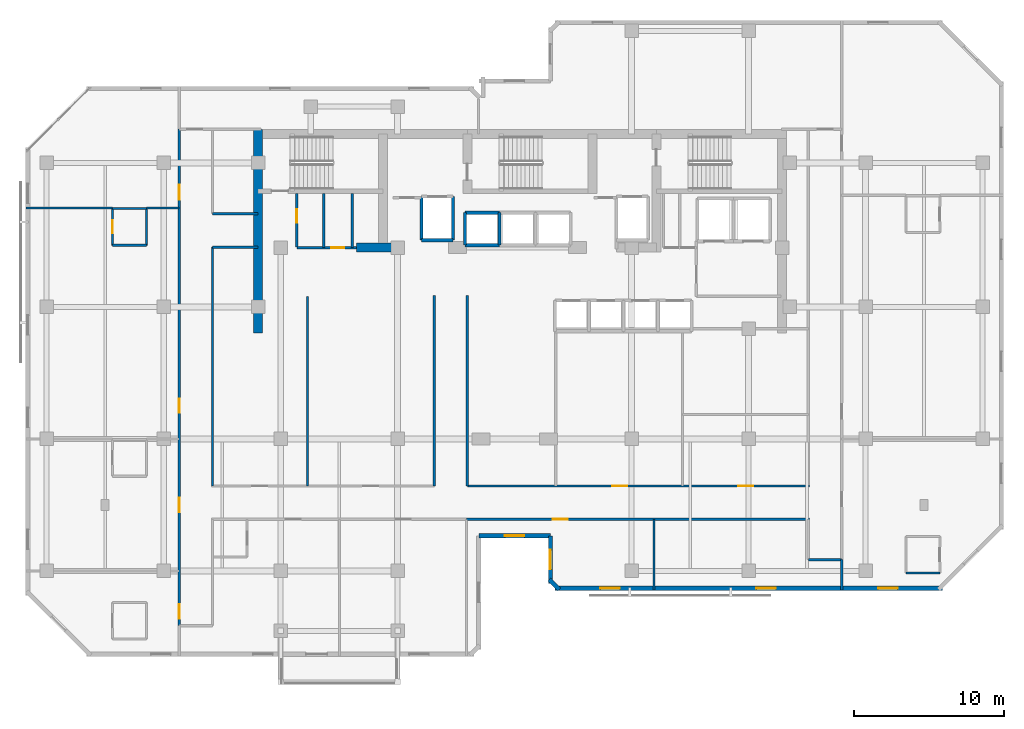
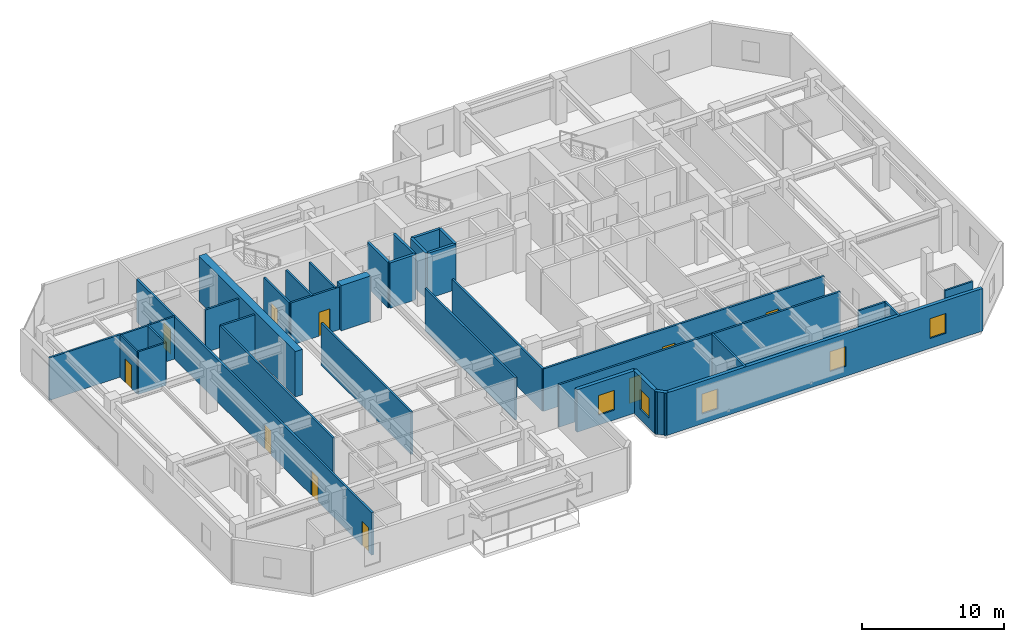
# One storey, part 5 of 11: 36 walls, 10 doors, 5 windows, 15 openings.
"""IFC4 building model written with IfcOpenShell, lengths in metres."""

import ifcopenshell
import ifcopenshell.guid

model = None  # the IFC model being written
_history = None  # IfcOwnerHistory: only IFC2X3 demands one
_inside = {}  # id of a spatial element -> (the spatial element, [elements in it])
_under = {}  # id of a project, library or spatial element -> (it, [spatial elements below it])
_declared = {}  # id of a project -> (the project, [libraries it declares])
_typed = {}  # id of a type object -> (the type object, [elements of that type])
_made_of = {}  # id of a material, layer set ... -> (it, [elements and type objects made of it])


def new_model(schema):
    """Start an empty IFC model of exactly this schema.

    Asked for "IFC4X3", IfcOpenShell would pick the latest addendum, in which some entities
    have other attributes; the version numbers below select the first issue.
    IFC2X3 requires an IfcOwnerHistory on every rooted entity: one is made here for all.
    """
    global model, _history
    if schema == "IFC4X3":
        model = ifcopenshell.file(schema_version=(4, 3, 0, 0))
    else:
        model = ifcopenshell.file(schema=schema)
    _inside.clear()
    _under.clear()
    _declared.clear()
    _typed.clear()
    _made_of.clear()
    _history = None
    if model.schema == "IFC2X3":
        org = make("IfcOrganization", Name="unknown")
        user = make(
            "IfcPersonAndOrganization",
            ThePerson=make("IfcPerson", FamilyName="unknown"),
            TheOrganization=org,
        )
        app = make(
            "IfcApplication",
            ApplicationDeveloper=org,
            Version="unknown",
            ApplicationFullName="unknown",
            ApplicationIdentifier="unknown",
        )
        _history = make(
            "IfcOwnerHistory",
            OwningUser=user,
            OwningApplication=app,
            ChangeAction="ADDED",
            CreationDate=0,
        )
    return model


def make(cls, **values):
    """One entity of the class cls with the attributes given. An attribute that is None is left unset."""
    return model.create_entity(
        cls, **{name: value for name, value in values.items() if value is not None}
    )


def rooted(cls, **values):
    """An entity with a GlobalId (a new one), such as an element, a storey or a relation."""
    return make(cls, GlobalId=ifcopenshell.guid.new(), OwnerHistory=_history, **values)


def si_unit(unit_type, name, prefix=None):
    """IfcSIUnit, for example si_unit("LENGTHUNIT", "METRE", prefix="MILLI")."""
    return make("IfcSIUnit", UnitType=unit_type, Prefix=prefix, Name=name)


def assignment(units):
    """IfcUnitAssignment: the units of a project."""
    return None if units is None else make("IfcUnitAssignment", Units=units)


def point(xyz):
    """IfcCartesianPoint."""
    return None if xyz is None else make("IfcCartesianPoint", Coordinates=xyz)


def direction(xyz):
    """IfcDirection."""
    return None if xyz is None else make("IfcDirection", DirectionRatios=xyz)


def frame(location, z_axis=None, x_axis=None):
    """IfcAxis2Placement3D, a coordinate frame: its origin and axes. An axis left out is left unset."""
    return make(
        "IfcAxis2Placement3D",
        Location=point(location),
        Axis=direction(z_axis),
        RefDirection=direction(x_axis),
    )


def frame_2d(location, x_axis=None):
    """IfcAxis2Placement2D, a coordinate frame in the plane: its origin and x axis."""
    return make(
        "IfcAxis2Placement2D", Location=point(location), RefDirection=direction(x_axis)
    )


def origin():
    """The frame at (0, 0, 0) with its axes left unset."""
    return frame((0.0, 0.0, 0.0))


def place(relative_to, where):
    """IfcLocalPlacement: puts the frame where relative to a parent placement (None: the world)."""
    return make(
        "IfcLocalPlacement", PlacementRelTo=relative_to, RelativePlacement=where
    )


def context(
    kind, dimensions, precision=None, world=None, true_north=None, identifier=None
):
    """IfcGeometricRepresentationContext, for example the 3D "Model" context."""
    return make(
        "IfcGeometricRepresentationContext",
        ContextIdentifier=identifier,
        ContextType=kind,
        CoordinateSpaceDimension=dimensions,
        Precision=precision,
        WorldCoordinateSystem=world,
        TrueNorth=true_north,
    )


def subcontext(parent, identifier, kind, view, scale=None):
    """IfcGeometricRepresentationSubContext, for example "Body" below "Model"."""
    return make(
        "IfcGeometricRepresentationSubContext",
        ContextIdentifier=identifier,
        ContextType=kind,
        ParentContext=parent,
        TargetScale=scale,
        TargetView=view,
    )


def project(units=None, contexts=None):
    """IfcProject with its units and contexts."""
    return rooted(
        "IfcProject",
        Name="project",
        RepresentationContexts=contexts,
        UnitsInContext=assignment(units),
    )


def spatial(cls, under=None, at=None, **own):
    """A site, building, storey or space (cls), placed at a placement, below another one or the project."""
    s = rooted(cls, ObjectPlacement=at, **own)
    if under is not None:
        _under.setdefault(under.id(), (under, []))[1].append(s)
    return s


def profile(cls, at=None, kind="AREA", **sizes):
    """A parametric profile (cls). Its sizes go by their IFC names, for example OverallWidth=200.0."""
    return make(cls, ProfileType=kind, Position=at, **sizes)


def rectangle(**sizes):
    """IfcRectangleProfileDef."""
    return profile("IfcRectangleProfileDef", **sizes)


def extrude(swept, where, along, depth):
    """IfcExtrudedAreaSolid: the profile swept, set in the frame where, extruded along a direction by depth."""
    return make(
        "IfcExtrudedAreaSolid",
        SweptArea=swept,
        Position=where,
        ExtrudedDirection=direction(along),
        Depth=depth,
    )


def shape(context_of_items, identifier, shape_type, items):
    """IfcShapeRepresentation: the items that make up one representation, for example the "Body"."""
    return make(
        "IfcShapeRepresentation",
        ContextOfItems=context_of_items,
        RepresentationIdentifier=identifier,
        RepresentationType=shape_type,
        Items=items,
    )


def material(Name=None, Category=None):
    """IfcMaterial."""
    return make("IfcMaterial", Name=Name, Category=Category)


def layer(
    of_material, thickness, ventilated=None, Name=None, Category=None, Priority=None
):
    """IfcMaterialLayer: one layer of a wall or slab, of a material (None: an air gap)."""
    return make(
        "IfcMaterialLayer",
        Material=of_material,
        LayerThickness=thickness,
        IsVentilated=ventilated,
        Name=Name,
        Category=Category,
        Priority=Priority,
    )


def layer_set(layers, Name=None):
    """IfcMaterialLayerSet."""
    return make("IfcMaterialLayerSet", MaterialLayers=layers, LayerSetName=Name)


def made_of(thing, what):
    """Note that an element or type object is made of a material, layer set ...; save() writes the relation."""
    if what is not None:
        _made_of.setdefault(what.id(), (what, []))[1].append(thing)
    return thing


def type_object(cls, material=None, **own):
    """A type object (cls), such as IfcWallType, which elements share."""
    return made_of(rooted(cls, **own), material)


def element(
    cls,
    number,
    at=None,
    inside=None,
    cuts=None,
    type_object=None,
    material=None,
    context=None,
    identifier="Body",
    shape_type=None,
    held_by="IfcProductDefinitionShape",
    body=None,
    shapes=None,
    **own,
):
    """One element of the class cls, such as IfcWall. Its Tag is "e" and its number.

    at: its placement. inside: the storey or other place that contains it. cuts: it is an
    opening in that element (IfcRelVoidsElement). A single representation is given by context,
    identifier, shape_type and body (its items); several are given by shapes. held_by: the class
    of the entity that holds the representations. save() writes the other relations.
    """
    e = rooted(cls, Tag="e%d" % number, ObjectPlacement=at, **own)
    if body is not None:
        shapes = [shape(context, identifier, shape_type, body)]
    if shapes is not None:
        e.Representation = make(held_by, Representations=shapes)
    if inside is not None:
        _inside.setdefault(inside.id(), (inside, []))[1].append(e)
    if cuts is not None:
        rooted(
            "IfcRelVoidsElement", RelatingBuildingElement=cuts, RelatedOpeningElement=e
        )
    if type_object is not None:
        _typed.setdefault(type_object.id(), (type_object, []))[1].append(e)
    return made_of(e, material)


def fill(opening, filler):
    """IfcRelFillsElement: the door or window that sits in an opening."""
    return rooted(
        "IfcRelFillsElement",
        RelatingOpeningElement=opening,
        RelatedBuildingElement=filler,
    )


def aggregate(whole, parts):
    """IfcRelAggregates: a whole, such as a stair, and the parts it consists of."""
    return rooted("IfcRelAggregates", RelatingObject=whole, RelatedObjects=parts)


def save(model, path):
    """Write the relations noted so far, then the file.

    IfcRelAggregates (storeys below a building ...), IfcRelContainedInSpatialStructure (elements
    in a storey), IfcRelDefinesByType, IfcRelAssociatesMaterial and IfcRelDeclares: one each for
    every whole, place, type object, material and project.
    """
    for whole, parts in _under.values():
        aggregate(whole, parts)
    for where, things in _inside.values():
        rooted(
            "IfcRelContainedInSpatialStructure",
            RelatedElements=things,
            RelatingStructure=where,
        )
    for kind, things in _typed.values():
        rooted("IfcRelDefinesByType", RelatedObjects=things, RelatingType=kind)
    for what, things in _made_of.values():
        rooted("IfcRelAssociatesMaterial", RelatedObjects=things, RelatingMaterial=what)
    for by, libraries in _declared.values():
        rooted("IfcRelDeclares", RelatingContext=by, RelatedDefinitions=libraries)
    model.write(path)


model = new_model("IFC4")

# Units and contexts
model_context = context("Model", 3, precision=1e-05, world=origin(), true_north=direction((0.0, 1.0)))
body_context = subcontext(model_context, "Body", "Model", "MODEL_VIEW")
ifc_project = project(units=[si_unit("LENGTHUNIT", "METRE"), si_unit("AREAUNIT", "SQUARE_METRE"), si_unit("VOLUMEUNIT", "CUBIC_METRE"), si_unit("PLANEANGLEUNIT", "RADIAN"), si_unit("MASSUNIT", "GRAM", prefix="KILO")], contexts=[model_context])

# Site, building, storey
site_placement = place(None, origin())
site = spatial("IfcSite", under=ifc_project, at=site_placement, CompositionType="ELEMENT")
building_placement = place(site_placement, origin())
building = spatial("IfcBuilding", under=site, at=building_placement, Name="Kestravale Grand Hotel", CompositionType="ELEMENT")
storey_placement = place(building_placement, frame((0.0, 0.0, 204.60009765625)))
storey = spatial("IfcBuildingStorey", under=building, at=storey_placement, Name="L51", CompositionType="ELEMENT", Elevation=204.60009765625)

# Walls
ifc_material_1 = material(Name="Concrete f'c 50 MPa", Category="concrete")
ifc_layer_1 = layer(ifc_material_1, 0.60009765625)
ifc_layer_set_1 = layer_set([ifc_layer_1], Name="EW-CORE-600")
wall_type_1 = type_object("IfcWallType", Name="EW-CORE-600", PredefinedType="SHEAR", material=ifc_layer_set_1)
wall_1_placement = place(storey_placement, frame((21.89990234375, 27.050048828125, 0.0), z_axis=(0.0, 0.0, 1.0), x_axis=(0.0, 1.0, 0.0)))
element("IfcWall", 1, at=wall_1_placement, inside=storey, type_object=wall_type_1, Name="L51 core shear wall W1", PredefinedType="SHEAR", context=body_context, shape_type="SweptSolid", body=[
    extrude(rectangle(XDim=13.570068359375, YDim=0.60009765625, at=frame_2d((6.78515625, 0.0))), origin(), (0.0, 0.0, 1.0), 3.89990234375),
])
wall_2_placement = place(storey_placement, frame((28.449951171875, 32.75, 0.0), z_axis=(0.0, 0.0, 1.0), x_axis=(1.0, 0.0, 0.0)))
element("IfcWall", 2, at=wall_2_placement, inside=storey, type_object=wall_type_1, Name="L51 core shear wall S1", PredefinedType="SHEAR", context=body_context, shape_type="SweptSolid", body=[
    extrude(rectangle(XDim=2.400146484375, YDim=0.60009765625, at=frame_2d((1.2001953125, 0.0))), origin(), (0.0, 0.0, 1.0), 3.89990234375),
])

# Wall, opening, window
ifc_material_2 = material(Name="Precast concrete f'c 45 MPa", Category="concrete")
ifc_layer_2 = layer(ifc_material_2, 0.280029296875)
ifc_layer_set_2 = layer_set([ifc_layer_2], Name="EW-PREC-280")
wall_type_2 = type_object("IfcWallType", Name="EW-PREC-280", PredefinedType="SOLIDWALL", material=ifc_layer_set_2)
wall_3_placement = place(storey_placement, frame((36.610107421875, 13.5400390625, 0.0), z_axis=(0.0, 0.0, 1.0), x_axis=(1.0, 0.0, 0.0)))
wall_3 = element("IfcWall", 3, at=wall_3_placement, inside=storey, type_object=wall_type_2, Name="L51 fluted precast facade wall 4", PredefinedType="SOLIDWALL", context=body_context, shape_type="SweptSolid", body=[
    extrude(rectangle(XDim=4.77978515625, YDim=0.280029296875, at=frame_2d((2.389892578125, 0.0))), origin(), (0.0, 0.0, 1.0), 3.64990234375),
])
opening_1_placement = place(wall_3_placement, frame((1.739990234375, 0.0, 0.85009765625)))
opening_1 = element("IfcOpeningElement", 4, at=opening_1_placement, cuts=wall_3, Name="Opening W-GUEST-1300", PredefinedType="OPENING", context=body_context, shape_type="SweptSolid", body=[
    extrude(rectangle(XDim=1.300048828125, YDim=1.699951171875, at=frame_2d((0.64990234375, 0.85009765625))), frame((0.0, 0.14990234375, 0.0), z_axis=(0.0, -1.0, 0.0), x_axis=(1.0, 0.0, 0.0)), (0.0, 0.0, 1.0), 0.300048828125),
])
ifc_material_3 = material(Name="Insulated low-E double glazing in aluminium frame", Category="aluminium")
window_type = type_object("IfcWindowType", Name="W-GUEST-1300", PartitioningType="SINGLE_PANEL", PredefinedType="WINDOW", material=ifc_material_3)
window_1_placement = place(opening_1_placement, origin())
window_1 = element("IfcWindow", 5, at=window_1_placement, inside=storey, type_object=window_type, Name="L51 exterior window 4.1", OverallHeight=1.699951171875, OverallWidth=1.300048828125, PartitioningType="SINGLE_PANEL", PredefinedType="WINDOW", context=body_context, shape_type="SweptSolid", body=[
    extrude(rectangle(XDim=1.300048828125, YDim=1.699951171875, at=frame_2d((0.64990234375, 0.85009765625))), frame((0.0, 0.030029296875, 0.0), z_axis=(0.0, -1.0, 0.0), x_axis=(1.0, 0.0, 0.0)), (0.0, 0.0, 1.0), 0.06005859375),
])
fill(opening_1, window_1)

wall_4_placement = place(storey_placement, frame((41.389892578125, 13.5400390625, 0.0), z_axis=(0.0, 0.0, 1.0), x_axis=(0.0, -1.0, 0.0)))
wall_4 = element("IfcWall", 6, at=wall_4_placement, inside=storey, type_object=wall_type_2, Name="L51 fluted precast facade wall 5", PredefinedType="SOLIDWALL", context=body_context, shape_type="SweptSolid", body=[
    extrude(rectangle(XDim=3.179931640625, YDim=0.280029296875, at=frame_2d((1.58984375, 0.0))), origin(), (0.0, 0.0, 1.0), 3.64990234375),
])
opening_2_placement = place(wall_4_placement, frame((0.93994140625, 0.0, 0.85009765625)))
opening_2 = element("IfcOpeningElement", 7, at=opening_2_placement, cuts=wall_4, Name="Opening W-GUEST-1300", PredefinedType="OPENING", context=body_context, shape_type="SweptSolid", body=[
    extrude(rectangle(XDim=1.300048828125, YDim=1.699951171875, at=frame_2d((0.64990234375, 0.85009765625))), frame((0.0, 0.14990234375, 0.0), z_axis=(0.0, -1.0, 0.0), x_axis=(1.0, 0.0, 0.0)), (0.0, 0.0, 1.0), 0.300048828125),
])
window_2_placement = place(opening_2_placement, origin())
window_2 = element("IfcWindow", 8, at=window_2_placement, inside=storey, type_object=window_type, Name="L51 exterior window 5.1", OverallHeight=1.699951171875, OverallWidth=1.300048828125, PartitioningType="SINGLE_PANEL", PredefinedType="WINDOW", context=body_context, shape_type="SweptSolid", body=[
    extrude(rectangle(XDim=1.300048828125, YDim=1.699951171875, at=frame_2d((0.64990234375, 0.85009765625))), frame((0.0, 0.030029296875, 0.0), z_axis=(0.0, -1.0, 0.0), x_axis=(1.0, 0.0, 0.0)), (0.0, 0.0, 1.0), 0.06005859375),
])
fill(opening_2, window_2)

# Wall
wall_5_placement = place(storey_placement, frame((41.32080078125, 10.627197265625, 0.0), z_axis=(0.0, 0.0, 1.0), x_axis=(0.707106781187, -0.707106781187, 0.0)))
element("IfcWall", 9, at=wall_5_placement, inside=storey, type_object=wall_type_2, Name="L51 fluted precast facade wall 6", PredefinedType="SOLIDWALL", context=body_context, shape_type="SweptSolid", body=[
    extrude(rectangle(XDim=0.928466796875, YDim=0.280029296875, at=frame_2d((0.46435546875, 0.0))), origin(), (0.0, 0.0, 1.0), 3.64990234375),
])

# Wall, openings, windows
wall_6_placement = place(storey_placement, frame((41.7099609375, 10.0400390625, 0.0), z_axis=(0.0, 0.0, 1.0), x_axis=(1.0, 0.0, 0.0)))
wall_6 = element("IfcWall", 10, at=wall_6_placement, inside=storey, type_object=wall_type_2, Name="L51 fluted precast facade wall 7", PredefinedType="SOLIDWALL", context=body_context, shape_type="SweptSolid", body=[
    extrude(rectangle(XDim=25.830078125, YDim=0.280029296875, at=frame_2d((12.9150390625, 0.0))), origin(), (0.0, 0.0, 1.0), 3.64990234375),
])
opening_3_placement = place(wall_6_placement, frame((3.0048828125, 0.0, 0.85009765625)))
opening_3 = element("IfcOpeningElement", 11, at=opening_3_placement, cuts=wall_6, Name="Opening W-GUEST-1300", PredefinedType="OPENING", context=body_context, shape_type="SweptSolid", body=[
    extrude(rectangle(XDim=1.300048828125, YDim=1.699951171875, at=frame_2d((0.64990234375, 0.85009765625))), frame((0.0, 0.14990234375, 0.0), z_axis=(0.0, -1.0, 0.0), x_axis=(1.0, 0.0, 0.0)), (0.0, 0.0, 1.0), 0.300048828125),
])
opening_4_placement = place(wall_6_placement, frame((13.4150390625, 0.0, 0.85009765625)))
opening_4 = element("IfcOpeningElement", 12, at=opening_4_placement, cuts=wall_6, Name="Opening W-GUEST-1300", PredefinedType="OPENING", context=body_context, shape_type="SweptSolid", body=[
    extrude(rectangle(XDim=1.300048828125, YDim=1.699951171875, at=frame_2d((0.64990234375, 0.85009765625))), frame((0.0, 0.14990234375, 0.0), z_axis=(0.0, -1.0, 0.0), x_axis=(1.0, 0.0, 0.0)), (0.0, 0.0, 1.0), 0.300048828125),
])
opening_5_placement = place(wall_6_placement, frame((21.52490234375, 0.0, 0.85009765625)))
opening_5 = element("IfcOpeningElement", 13, at=opening_5_placement, cuts=wall_6, Name="Opening W-GUEST-1300", PredefinedType="OPENING", context=body_context, shape_type="SweptSolid", body=[
    extrude(rectangle(XDim=1.300048828125, YDim=1.699951171875, at=frame_2d((0.64990234375, 0.85009765625))), frame((0.0, 0.14990234375, 0.0), z_axis=(0.0, -1.0, 0.0), x_axis=(1.0, 0.0, 0.0)), (0.0, 0.0, 1.0), 0.300048828125),
])
window_3_placement = place(opening_3_placement, origin())
window_3 = element("IfcWindow", 14, at=window_3_placement, inside=storey, type_object=window_type, Name="L51 exterior window 7.1", OverallHeight=1.699951171875, OverallWidth=1.300048828125, PartitioningType="SINGLE_PANEL", PredefinedType="WINDOW", context=body_context, shape_type="SweptSolid", body=[
    extrude(rectangle(XDim=1.300048828125, YDim=1.699951171875, at=frame_2d((0.64990234375, 0.85009765625))), frame((0.0, 0.030029296875, 0.0), z_axis=(0.0, -1.0, 0.0), x_axis=(1.0, 0.0, 0.0)), (0.0, 0.0, 1.0), 0.06005859375),
])
fill(opening_3, window_3)
window_4_placement = place(opening_4_placement, origin())
window_4 = element("IfcWindow", 15, at=window_4_placement, inside=storey, type_object=window_type, Name="L51 exterior window 7.2", OverallHeight=1.699951171875, OverallWidth=1.300048828125, PartitioningType="SINGLE_PANEL", PredefinedType="WINDOW", context=body_context, shape_type="SweptSolid", body=[
    extrude(rectangle(XDim=1.300048828125, YDim=1.699951171875, at=frame_2d((0.64990234375, 0.85009765625))), frame((0.0, 0.030029296875, 0.0), z_axis=(0.0, -1.0, 0.0), x_axis=(1.0, 0.0, 0.0)), (0.0, 0.0, 1.0), 0.06005859375),
])
fill(opening_4, window_4)
window_5_placement = place(opening_5_placement, origin())
window_5 = element("IfcWindow", 16, at=window_5_placement, inside=storey, type_object=window_type, Name="L51 exterior window 7.3", OverallHeight=1.699951171875, OverallWidth=1.300048828125, PartitioningType="SINGLE_PANEL", PredefinedType="WINDOW", context=body_context, shape_type="SweptSolid", body=[
    extrude(rectangle(XDim=1.300048828125, YDim=1.699951171875, at=frame_2d((0.64990234375, 0.85009765625))), frame((0.0, 0.030029296875, 0.0), z_axis=(0.0, -1.0, 0.0), x_axis=(1.0, 0.0, 0.0)), (0.0, 0.0, 1.0), 0.06005859375),
])
fill(opening_5, window_5)

# Wall, opening, door
ifc_material_4 = material(Name="Acoustic fire-rated gypsum board partition", Category="other")
ifc_layer_3 = layer(ifc_material_4, 0.159912109375)
ifc_layer_set_3 = layer_set([ifc_layer_3], Name="IW-CORR-160")
wall_type_3 = type_object("IfcWallType", Name="IW-CORR-160", PredefinedType="PARTITIONING", material=ifc_layer_set_3)
wall_7_placement = place(storey_placement, frame((24.47998046875, 32.800048828125, 0.0), z_axis=(0.0, 0.0, 1.0), x_axis=(0.0, 1.0, 0.0)))
wall_7 = element("IfcWall", 17, at=wall_7_placement, inside=storey, type_object=wall_type_3, Name="L51 west core vestibule wall", PredefinedType="PARTITIONING", context=body_context, shape_type="SweptSolid", body=[
    extrude(rectangle(XDim=3.570068359375, YDim=0.159912109375, at=frame_2d((1.78515625, 0.0))), origin(), (0.0, 0.0, 1.0), 3.64990234375),
])
opening_6_placement = place(wall_7_placement, frame((1.603515625, 0.0, 0.0)))
opening_6 = element("IfcOpeningElement", 18, at=opening_6_placement, cuts=wall_7, Name="Opening D-SH-900", PredefinedType="OPENING", context=body_context, shape_type="SweptSolid", body=[
    extrude(rectangle(XDim=0.89990234375, YDim=2.10009765625, at=frame_2d((0.449951171875, 1.050048828125))), frame((0.0, 0.08984375, 0.0), z_axis=(0.0, -1.0, 0.0), x_axis=(1.0, 0.0, 0.0)), (0.0, 0.0, 1.0), 0.179931640625),
])
ifc_material_5 = material(Name="Galvanised 90-minute shaft and service fire door", Category="steel")
door_type_1 = type_object("IfcDoorType", Name="D-SH-900", OperationType="NOTDEFINED", PredefinedType="DOOR", material=ifc_material_5)
door_1_placement = place(opening_6_placement, origin())
door_1 = element("IfcDoor", 19, at=door_1_placement, inside=storey, type_object=door_type_1, Name="D-L51-HK", OperationType="SINGLE_SWING_RIGHT", OverallHeight=2.10009765625, OverallWidth=0.89990234375, PredefinedType="DOOR", context=body_context, shape_type="SweptSolid", body=[
    extrude(rectangle(XDim=0.89990234375, YDim=2.10009765625, at=frame_2d((0.449951171875, 1.050048828125))), frame((0.0, 0.02490234375, 0.0), z_axis=(0.0, -1.0, 0.0), x_axis=(1.0, 0.0, 0.0)), (0.0, 0.0, 1.0), 0.050048828125),
])
fill(opening_6, door_1)

wall_8_placement = place(storey_placement, frame((24.47998046875, 32.75, 0.0), z_axis=(0.0, 0.0, 1.0), x_axis=(1.0, 0.0, 0.0)))
wall_8 = element("IfcWall", 20, at=wall_8_placement, inside=storey, type_object=wall_type_3, Name="W-L51-CWS", PredefinedType="PARTITIONING", context=body_context, shape_type="SweptSolid", body=[
    extrude(rectangle(XDim=3.969970703125, YDim=0.159912109375, at=frame_2d((1.98486328125, 0.0))), origin(), (0.0, 0.0, 1.0), 3.64990234375),
])
opening_7_placement = place(wall_8_placement, frame((2.31005859375, 0.0, 0.0)))
opening_7 = element("IfcOpeningElement", 21, at=opening_7_placement, cuts=wall_8, Name="Opening D-SH-860", PredefinedType="OPENING", context=body_context, shape_type="SweptSolid", body=[
    extrude(rectangle(XDim=0.860107421875, YDim=2.050048828125, at=frame_2d((0.43017578125, 1.02490234375))), frame((0.0, 0.08984375, 0.0), z_axis=(0.0, -1.0, 0.0), x_axis=(1.0, 0.0, 0.0)), (0.0, 0.0, 1.0), 0.179931640625),
])
ifc_material_6 = material(Name="Galvanised 90-minute riser fire door", Category="steel")
door_type_2 = type_object("IfcDoorType", Name="D-SH-860", OperationType="NOTDEFINED", PredefinedType="DOOR", material=ifc_material_6)
door_2_placement = place(opening_7_placement, origin())
door_2 = element("IfcDoor", 22, at=door_2_placement, inside=storey, type_object=door_type_2, Name="D-L51-IDF", OperationType="SINGLE_SWING_RIGHT", OverallHeight=2.050048828125, OverallWidth=0.860107421875, PredefinedType="DOOR", context=body_context, shape_type="SweptSolid", body=[
    extrude(rectangle(XDim=0.860107421875, YDim=2.050048828125, at=frame_2d((0.43017578125, 1.02490234375))), frame((0.0, 0.02490234375, 0.0), z_axis=(0.0, -1.0, 0.0), x_axis=(1.0, 0.0, 0.0)), (0.0, 0.0, 1.0), 0.050048828125),
])
fill(opening_7, door_2)

# Wall, openings, doors
wall_9_placement = place(storey_placement, frame((35.85009765625, 16.860107421875, 0.0), z_axis=(0.0, 0.0, 1.0), x_axis=(1.0, 0.0, 0.0)))
wall_9 = element("IfcWall", 23, at=wall_9_placement, inside=storey, type_object=wall_type_3, Name="W-L51-CE-N", PredefinedType="PARTITIONING", context=body_context, shape_type="SweptSolid", body=[
    extrude(rectangle(XDim=22.7998046875, YDim=0.159912109375, at=frame_2d((11.39990234375, 0.0))), origin(), (0.0, 0.0, 1.0), 3.64990234375),
])
opening_8_placement = place(wall_9_placement, frame((9.64990234375, 0.0, 0.0)))
opening_8 = element("IfcOpeningElement", 24, at=opening_8_placement, cuts=wall_9, Name="Opening D-GUEST-1000", PredefinedType="OPENING", context=body_context, shape_type="SweptSolid", body=[
    extrude(rectangle(XDim=1.0, YDim=2.14990234375, at=frame_2d((0.5, 1.074951171875))), frame((0.0, 0.08984375, 0.0), z_axis=(0.0, -1.0, 0.0), x_axis=(1.0, 0.0, 0.0)), (0.0, 0.0, 1.0), 0.179931640625),
])
opening_9_placement = place(wall_9_placement, frame((18.050048828125, 0.0, 0.0)))
opening_9 = element("IfcOpeningElement", 25, at=opening_9_placement, cuts=wall_9, Name="Opening D-GUEST-1000", PredefinedType="OPENING", context=body_context, shape_type="SweptSolid", body=[
    extrude(rectangle(XDim=1.0, YDim=2.14990234375, at=frame_2d((0.5, 1.074951171875))), frame((0.0, 0.08984375, 0.0), z_axis=(0.0, -1.0, 0.0), x_axis=(1.0, 0.0, 0.0)), (0.0, 0.0, 1.0), 0.179931640625),
])
ifc_material_7 = material(Name="Accessible walnut veneer hotel entrance fire door", Category="wood")
door_type_3 = type_object("IfcDoorType", Name="D-GUEST-1000", OperationType="NOTDEFINED", PredefinedType="DOOR", material=ifc_material_7)
door_3_placement = place(opening_8_placement, origin())
door_3 = element("IfcDoor", 26, at=door_3_placement, inside=storey, type_object=door_type_3, Name="D-L51-RECL-E1", OperationType="SINGLE_SWING_LEFT", OverallHeight=2.14990234375, OverallWidth=1.0, PredefinedType="DOOR", context=body_context, shape_type="SweptSolid", body=[
    extrude(rectangle(XDim=1.0, YDim=2.14990234375, at=frame_2d((0.5, 1.074951171875))), frame((0.0, 0.02490234375, 0.0), z_axis=(0.0, -1.0, 0.0), x_axis=(1.0, 0.0, 0.0)), (0.0, 0.0, 1.0), 0.050048828125),
])
fill(opening_8, door_3)
door_4_placement = place(opening_9_placement, origin())
door_4 = element("IfcDoor", 27, at=door_4_placement, inside=storey, type_object=door_type_3, Name="D-L51-RECL-E2", OperationType="SINGLE_SWING_RIGHT", OverallHeight=2.14990234375, OverallWidth=1.0, PredefinedType="DOOR", context=body_context, shape_type="SweptSolid", body=[
    extrude(rectangle(XDim=1.0, YDim=2.14990234375, at=frame_2d((0.5, 1.074951171875))), frame((0.0, 0.02490234375, 0.0), z_axis=(0.0, -1.0, 0.0), x_axis=(1.0, 0.0, 0.0)), (0.0, 0.0, 1.0), 0.050048828125),
])
fill(opening_9, door_4)

# Walls
for number, where, z_axis, x_axis, name in (
    (28, (33.64990234375, 16.860107421875, 0.0), (0.0, 0.0, 1.0), (0.0, 1.0, 0.0), "W-L51-TRUNK-W"),
    (29, (35.85009765625, 16.860107421875, 0.0), (0.0, 0.0, 1.0), (0.0, 1.0, 0.0), "W-L51-TRUNK-E"),
):
    element("IfcWall", number, at=place(storey_placement, frame(where, z_axis=z_axis, x_axis=x_axis)), inside=storey, type_object=wall_type_3, Name=name, PredefinedType="PARTITIONING", context=body_context, shape_type="SweptSolid", body=[
        extrude(rectangle(XDim=12.68994140625, YDim=0.159912109375, at=frame_2d((6.344970703125, 0.0))), origin(), (0.0, 0.0, 1.0), 3.64990234375),
    ])

# Wall, opening, door
wall_10_placement = place(storey_placement, frame((35.800048828125, 14.639892578125, 0.0), z_axis=(0.0, 0.0, 1.0), x_axis=(1.0, 0.0, 0.0)))
wall_10 = element("IfcWall", 30, at=wall_10_placement, inside=storey, type_object=wall_type_3, Name="W-L51-CE-S", PredefinedType="PARTITIONING", context=body_context, shape_type="SweptSolid", body=[
    extrude(rectangle(XDim=22.849853515625, YDim=0.159912109375, at=frame_2d((11.4248046875, 0.0))), origin(), (0.0, 0.0, 1.0), 3.64990234375),
])
opening_10_placement = place(wall_10_placement, frame((5.74755859375, 0.0, 0.0)))
opening_10 = element("IfcOpeningElement", 31, at=opening_10_placement, cuts=wall_10, Name="Opening D-GUEST-1000", PredefinedType="OPENING", context=body_context, shape_type="SweptSolid", body=[
    extrude(rectangle(XDim=1.0, YDim=2.14990234375, at=frame_2d((0.5, 1.074951171875))), frame((0.0, 0.08984375, 0.0), z_axis=(0.0, -1.0, 0.0), x_axis=(1.0, 0.0, 0.0)), (0.0, 0.0, 1.0), 0.179931640625),
])
door_5_placement = place(opening_10_placement, origin())
door_5 = element("IfcDoor", 32, at=door_5_placement, inside=storey, type_object=door_type_3, Name="D-L51-AME", OperationType="SINGLE_SWING_RIGHT", OverallHeight=2.14990234375, OverallWidth=1.0, PredefinedType="DOOR", context=body_context, shape_type="SweptSolid", body=[
    extrude(rectangle(XDim=1.0, YDim=2.14990234375, at=frame_2d((0.5, 1.074951171875))), frame((0.0, 0.02490234375, 0.0), z_axis=(0.0, -1.0, 0.0), x_axis=(1.0, 0.0, 0.0)), (0.0, 0.0, 1.0), 0.050048828125),
])
fill(opening_10, door_5)

# Wall, openings, doors
wall_11_placement = place(storey_placement, frame((16.639892578125, 7.550048828125, 0.0), z_axis=(0.0, 0.0, 1.0), x_axis=(0.0, 1.0, 0.0)))
wall_11 = element("IfcWall", 33, at=wall_11_placement, inside=storey, type_object=wall_type_3, Name="W-L51-SW-W", PredefinedType="PARTITIONING", context=body_context, shape_type="SweptSolid", body=[
    extrude(rectangle(XDim=33.099853515625, YDim=0.159912109375, at=frame_2d((16.5498046875, 0.0))), origin(), (0.0, 0.0, 1.0), 3.64990234375),
])
opening_11_placement = place(wall_11_placement, frame((0.4599609375, 0.0, 0.0)))
opening_11 = element("IfcOpeningElement", 34, at=opening_11_placement, cuts=wall_11, Name="Opening D-GUEST-950", PredefinedType="OPENING", context=body_context, shape_type="SweptSolid", body=[
    extrude(rectangle(XDim=0.949951171875, YDim=2.10009765625, at=frame_2d((0.47509765625, 1.050048828125))), frame((0.0, 0.08984375, 0.0), z_axis=(0.0, -1.0, 0.0), x_axis=(1.0, 0.0, 0.0)), (0.0, 0.0, 1.0), 0.179931640625),
])
opening_12_placement = place(wall_11_placement, frame((7.574951171875, 0.0, 0.0)))
opening_12 = element("IfcOpeningElement", 35, at=opening_12_placement, cuts=wall_11, Name="Opening D-GUEST-950", PredefinedType="OPENING", context=body_context, shape_type="SweptSolid", body=[
    extrude(rectangle(XDim=0.949951171875, YDim=2.10009765625, at=frame_2d((0.47509765625, 1.050048828125))), frame((0.0, 0.08984375, 0.0), z_axis=(0.0, -1.0, 0.0), x_axis=(1.0, 0.0, 0.0)), (0.0, 0.0, 1.0), 0.179931640625),
])
opening_13_placement = place(wall_11_placement, frame((14.178466796875, 0.0, 0.0)))
opening_13 = element("IfcOpeningElement", 36, at=opening_13_placement, cuts=wall_11, Name="Opening D-GUEST-950", PredefinedType="OPENING", context=body_context, shape_type="SweptSolid", body=[
    extrude(rectangle(XDim=0.949951171875, YDim=2.10009765625, at=frame_2d((0.47509765625, 1.050048828125))), frame((0.0, 0.08984375, 0.0), z_axis=(0.0, -1.0, 0.0), x_axis=(1.0, 0.0, 0.0)), (0.0, 0.0, 1.0), 0.179931640625),
])
opening_14_placement = place(wall_11_placement, frame((28.39990234375, 0.0, 0.0)))
opening_14 = element("IfcOpeningElement", 37, at=opening_14_placement, cuts=wall_11, Name="Opening D-GUEST-1000", PredefinedType="OPENING", context=body_context, shape_type="SweptSolid", body=[
    extrude(rectangle(XDim=1.0, YDim=2.14990234375, at=frame_2d((0.5, 1.074951171875))), frame((0.0, 0.08984375, 0.0), z_axis=(0.0, -1.0, 0.0), x_axis=(1.0, 0.0, 0.0)), (0.0, 0.0, 1.0), 0.179931640625),
])
door_6_placement = place(opening_14_placement, origin())
door_6 = element("IfcDoor", 38, at=door_6_placement, inside=storey, type_object=door_type_3, Name="D-L51-AMWW", OperationType="SINGLE_SWING_LEFT", OverallHeight=2.14990234375, OverallWidth=1.0, PredefinedType="DOOR", context=body_context, shape_type="SweptSolid", body=[
    extrude(rectangle(XDim=1.0, YDim=2.14990234375, at=frame_2d((0.5, 1.074951171875))), frame((0.0, 0.02490234375, 0.0), z_axis=(0.0, -1.0, 0.0), x_axis=(1.0, 0.0, 0.0)), (0.0, 0.0, 1.0), 0.050048828125),
])
fill(opening_14, door_6)
ifc_material_8 = material(Name="Walnut veneer hotel guestroom entrance fire door", Category="wood")
door_type_4 = type_object("IfcDoorType", Name="D-GUEST-950", OperationType="NOTDEFINED", PredefinedType="DOOR", material=ifc_material_8)
door_7_placement = place(opening_11_placement, origin())
door_7 = element("IfcDoor", 39, at=door_7_placement, inside=storey, type_object=door_type_4, Name="D-L51-U02-ENT", OperationType="SINGLE_SWING_RIGHT", OverallHeight=2.10009765625, OverallWidth=0.949951171875, PredefinedType="DOOR", context=body_context, shape_type="SweptSolid", body=[
    extrude(rectangle(XDim=0.949951171875, YDim=2.10009765625, at=frame_2d((0.47509765625, 1.050048828125))), frame((0.0, 0.02490234375, 0.0), z_axis=(0.0, -1.0, 0.0), x_axis=(1.0, 0.0, 0.0)), (0.0, 0.0, 1.0), 0.050048828125),
])
fill(opening_11, door_7)
door_8_placement = place(opening_12_placement, origin())
door_8 = element("IfcDoor", 40, at=door_8_placement, inside=storey, type_object=door_type_4, Name="D-L51-U03-ENT", OperationType="SINGLE_SWING_RIGHT", OverallHeight=2.10009765625, OverallWidth=0.949951171875, PredefinedType="DOOR", context=body_context, shape_type="SweptSolid", body=[
    extrude(rectangle(XDim=0.949951171875, YDim=2.10009765625, at=frame_2d((0.47509765625, 1.050048828125))), frame((0.0, 0.02490234375, 0.0), z_axis=(0.0, -1.0, 0.0), x_axis=(1.0, 0.0, 0.0)), (0.0, 0.0, 1.0), 0.050048828125),
])
fill(opening_12, door_8)
door_9_placement = place(opening_13_placement, origin())
door_9 = element("IfcDoor", 41, at=door_9_placement, inside=storey, type_object=door_type_4, Name="D-L51-U04-ENT", OperationType="SINGLE_SWING_RIGHT", OverallHeight=2.10009765625, OverallWidth=0.949951171875, PredefinedType="DOOR", context=body_context, shape_type="SweptSolid", body=[
    extrude(rectangle(XDim=0.949951171875, YDim=2.10009765625, at=frame_2d((0.47509765625, 1.050048828125))), frame((0.0, 0.02490234375, 0.0), z_axis=(0.0, -1.0, 0.0), x_axis=(1.0, 0.0, 0.0)), (0.0, 0.0, 1.0), 0.050048828125),
])
fill(opening_13, door_9)

# Walls
for number, where, z_axis, x_axis, name in (
    (42, (18.860107421875, 35.02001953125, 0.0), (0.0, 0.0, 1.0), (1.0, 0.0, 0.0), "W-L51-SW-CN"),
    (43, (18.860107421875, 32.780029296875, 0.0), (0.0, 0.0, 1.0), (1.0, 0.0, 0.0), "W-L51-SW-CS"),
):
    element("IfcWall", number, at=place(storey_placement, frame(where, z_axis=z_axis, x_axis=x_axis)), inside=storey, type_object=wall_type_3, Name=name, PredefinedType="PARTITIONING", context=body_context, shape_type="SweptSolid", body=[
        extrude(rectangle(XDim=3.039794921875, YDim=0.159912109375, at=frame_2d((1.52001953125, 0.0))), origin(), (0.0, 0.0, 1.0), 3.64990234375),
    ])

# Wall, opening, door
ifc_material_9 = material(Name="Moisture-resistant tile-backer plumbing chase wall", Category="other")
ifc_layer_4 = layer(ifc_material_9, 0.139892578125)
ifc_layer_set_4 = layer_set([ifc_layer_4], Name="IW-PLB-140")
wall_type_4 = type_object("IfcWallType", Name="IW-PLB-140", PredefinedType="PLUMBINGWALL", material=ifc_layer_set_4)
wall_12_placement = place(storey_placement, frame((12.199951171875, 32.909912109375, 0.0), z_axis=(0.0, 0.0, 1.0), x_axis=(0.0, 1.0, 0.0)))
wall_12 = element("IfcWall", 44, at=wall_12_placement, inside=storey, type_object=wall_type_4, Name="W-L51-U04-BW", PredefinedType="PLUMBINGWALL", context=body_context, shape_type="SweptSolid", body=[
    extrude(rectangle(XDim=2.4501953125, YDim=0.139892578125, at=frame_2d((1.22509765625, 0.0))), origin(), (0.0, 0.0, 1.0), 3.64990234375),
])
opening_15_placement = place(wall_12_placement, frame((0.784912109375, 0.0, 0.0)))
opening_15 = element("IfcOpeningElement", 45, at=opening_15_placement, cuts=wall_12, Name="Opening D-BATH-880", PredefinedType="OPENING", context=body_context, shape_type="SweptSolid", body=[
    extrude(rectangle(XDim=0.8798828125, YDim=2.050048828125, at=frame_2d((0.43994140625, 1.02490234375))), frame((0.0, 0.079833984375, 0.0), z_axis=(0.0, -1.0, 0.0), x_axis=(1.0, 0.0, 0.0)), (0.0, 0.0, 1.0), 0.159912109375),
])
ifc_material_10 = material(Name="Moisture-sealed walnut en-suite bathroom door", Category="wood")
door_type_5 = type_object("IfcDoorType", Name="D-BATH-880", OperationType="NOTDEFINED", PredefinedType="DOOR", material=ifc_material_10)
door_10_placement = place(opening_15_placement, origin())
door_10 = element("IfcDoor", 46, at=door_10_placement, inside=storey, type_object=door_type_5, Name="D-L51-U04-BATH", OperationType="SINGLE_SWING_LEFT", OverallHeight=2.050048828125, OverallWidth=0.8798828125, PredefinedType="DOOR", context=body_context, shape_type="SweptSolid", body=[
    extrude(rectangle(XDim=0.8798828125, YDim=2.050048828125, at=frame_2d((0.43994140625, 1.02490234375))), frame((0.0, 0.02490234375, 0.0), z_axis=(0.0, -1.0, 0.0), x_axis=(1.0, 0.0, 0.0)), (0.0, 0.0, 1.0), 0.050048828125),
])
fill(opening_15, door_10)

# Walls
wall_13_placement = place(storey_placement, frame((14.449951171875, 32.909912109375, 0.0), z_axis=(0.0, 0.0, 1.0), x_axis=(0.0, 1.0, 0.0)))
element("IfcWall", 47, at=wall_13_placement, inside=storey, type_object=wall_type_4, Name="W-L51-U04-BE", PredefinedType="PLUMBINGWALL", context=body_context, shape_type="SweptSolid", body=[
    extrude(rectangle(XDim=2.4501953125, YDim=0.139892578125, at=frame_2d((1.22509765625, 0.0))), origin(), (0.0, 0.0, 1.0), 3.64990234375),
])
for number, where, z_axis, x_axis, name in (
    (48, (12.199951171875, 32.909912109375, 0.0), (0.0, 0.0, 1.0), (1.0, 0.0, 0.0), "W-L51-U04-BS"),
    (49, (12.199951171875, 35.360107421875, 0.0), (0.0, 0.0, 1.0), (1.0, 0.0, 0.0), "W-L51-U04-BN"),
    (50, (65.10009765625, 11.050048828125, 0.0), (0.0, 0.0, 1.0), (1.0, 0.0, 0.0), "W-L51-U05-BS"),
):
    element("IfcWall", number, at=place(storey_placement, frame(where, z_axis=z_axis, x_axis=x_axis)), inside=storey, type_object=wall_type_4, Name=name, PredefinedType="PLUMBINGWALL", context=body_context, shape_type="SweptSolid", body=[
        extrude(rectangle(XDim=2.25, YDim=0.139892578125, at=frame_2d((1.125, 0.0))), origin(), (0.0, 0.0, 1.0), 3.64990234375),
    ])
ifc_material_11 = material(Name="Concrete f'c 45 MPa", Category="concrete")
ifc_layer_5 = layer(ifc_material_11, 0.199951171875)
ifc_layer_set_5 = layer_set([ifc_layer_5], Name="IW-SHAFT-200")
wall_type_5 = type_object("IfcWallType", Name="IW-SHAFT-200", PredefinedType="SHEAR", material=ifc_layer_set_5)
for number, where, z_axis, x_axis, name in (
    (51, (35.679931640625, 32.919921875, 0.0), (0.0, 0.0, 1.0), (0.0, 1.0, 0.0), "L51 PL-X1 west shaft wall"),
    (52, (38.0, 32.919921875, 0.0), (0.0, 0.0, 1.0), (0.0, 1.0, 0.0), "L51 PL-X2 west shaft wall"),
):
    element("IfcWall", number, at=place(storey_placement, frame(where, z_axis=z_axis, x_axis=x_axis)), inside=storey, type_object=wall_type_5, Name=name, PredefinedType="SHEAR", context=body_context, shape_type="SweptSolid", body=[
        extrude(rectangle(XDim=2.16015625, YDim=0.199951171875, at=frame_2d((1.080078125, 0.0))), origin(), (0.0, 0.0, 1.0), 3.89990234375),
    ])
for number, where, z_axis, x_axis, name in (
    (53, (32.804931640625, 33.2451171875, 0.0), (0.0, 0.0, 1.0), (0.0, 1.0, 0.0), "L51 FL-1 west shaft wall"),
    (54, (34.89501953125, 33.2451171875, 0.0), (0.0, 0.0, 1.0), (0.0, 1.0, 0.0), "L51 FL-1 east shaft wall"),
):
    element("IfcWall", number, at=place(storey_placement, frame(where, z_axis=z_axis, x_axis=x_axis)), inside=storey, type_object=wall_type_5, Name=name, PredefinedType="SHEAR", context=body_context, shape_type="SweptSolid", body=[
        extrude(rectangle(XDim=2.909912109375, YDim=0.199951171875, at=frame_2d((1.455078125, 0.0))), origin(), (0.0, 0.0, 1.0), 3.89990234375),
    ])
ifc_material_12 = material(Name="Concrete f'c 45 MPa", Category="concrete")
ifc_layer_6 = layer(ifc_material_12, 0.219970703125)
ifc_layer_set_6 = layer_set([ifc_layer_6], Name="IW-SHAFT-220")
wall_type_6 = type_object("IfcWallType", Name="IW-SHAFT-220", PredefinedType="SHEAR", material=ifc_layer_set_6)
for number, where, z_axis, x_axis, name in (
    (55, (35.679931640625, 35.080078125, 0.0), (0.0, 0.0, 1.0), (1.0, 0.0, 0.0), "L51 PL-X1 north shaft wall"),
    (56, (35.679931640625, 32.919921875, 0.0), (0.0, 0.0, 1.0), (1.0, 0.0, 0.0), "L51 PL-X1 south shaft wall"),
):
    element("IfcWall", number, at=place(storey_placement, frame(where, z_axis=z_axis, x_axis=x_axis)), inside=storey, type_object=wall_type_6, Name=name, PredefinedType="SHEAR", context=body_context, shape_type="SweptSolid", body=[
        extrude(rectangle(XDim=2.320068359375, YDim=0.219970703125, at=frame_2d((1.16015625, 0.0))), origin(), (0.0, 0.0, 1.0), 3.89990234375),
    ])
wall_14_placement = place(storey_placement, frame((32.804931640625, 33.2451171875, 0.0), z_axis=(0.0, 0.0, 1.0), x_axis=(1.0, 0.0, 0.0)))
element("IfcWall", 57, at=wall_14_placement, inside=storey, type_object=wall_type_6, Name="L51 FL-1 south shaft wall", PredefinedType="SHEAR", context=body_context, shape_type="SweptSolid", body=[
    extrude(rectangle(XDim=2.090087890625, YDim=0.219970703125, at=frame_2d((1.044921875, 0.0))), origin(), (0.0, 0.0, 1.0), 3.89990234375),
])
ifc_material_13 = material(Name="Double-stud STC 52 acoustic demising partition", Category="other")
ifc_layer_7 = layer(ifc_material_13, 0.14990234375)
ifc_layer_set_7 = layer_set([ifc_layer_7], Name="IW-UNIT-150")
wall_type_7 = type_object("IfcWallType", Name="IW-UNIT-150", PredefinedType="PARTITIONING", material=ifc_layer_set_7)
for number, where, z_axis, x_axis, name in (
    (58, (26.280029296875, 32.75, 0.0), (0.0, 0.0, 1.0), (0.0, 1.0, 0.0), "W-L51-CC1-1"),
    (59, (28.179931640625, 32.75, 0.0), (0.0, 0.0, 1.0), (0.0, 1.0, 0.0), "W-L51-CC1-2"),
):
    element("IfcWall", number, at=place(storey_placement, frame(where, z_axis=z_axis, x_axis=x_axis)), inside=storey, type_object=wall_type_7, Name=name, PredefinedType="PARTITIONING", context=body_context, shape_type="SweptSolid", body=[
        extrude(rectangle(XDim=3.6201171875, YDim=0.14990234375, at=frame_2d((1.81005859375, 0.0))), origin(), (0.0, 0.0, 1.0), 3.64990234375),
    ])
wall_15_placement = place(storey_placement, frame((58.590087890625, 11.949951171875, 0.0), z_axis=(0.0, 0.0, 1.0), x_axis=(1.0, 0.0, 0.0)))
element("IfcWall", 60, at=wall_15_placement, inside=storey, type_object=wall_type_7, Name="W-L51-SE-S", PredefinedType="PARTITIONING", context=body_context, shape_type="SweptSolid", body=[
    extrude(rectangle(XDim=2.219970703125, YDim=0.14990234375, at=frame_2d((1.10986328125, 0.0))), origin(), (0.0, 0.0, 1.0), 3.64990234375),
])
wall_16_placement = place(storey_placement, frame((18.860107421875, 16.860107421875, 0.0), z_axis=(0.0, 0.0, 1.0), x_axis=(0.0, 1.0, 0.0)))
element("IfcWall", 61, at=wall_16_placement, inside=storey, type_object=wall_type_7, Name="W-L51-RCLW-W", PredefinedType="PARTITIONING", context=body_context, shape_type="SweptSolid", body=[
    extrude(rectangle(XDim=15.93994140625, YDim=0.14990234375, at=frame_2d((7.969970703125, 0.0))), origin(), (0.0, 0.0, 1.0), 3.64990234375),
])
wall_17_placement = place(storey_placement, frame((25.199951171875, 16.860107421875, 0.0), z_axis=(0.0, 0.0, 1.0), x_axis=(0.0, 1.0, 0.0)))
element("IfcWall", 62, at=wall_17_placement, inside=storey, type_object=wall_type_7, Name="W-L51-RCLW-M", PredefinedType="PARTITIONING", context=body_context, shape_type="SweptSolid", body=[
    extrude(rectangle(XDim=12.639892578125, YDim=0.14990234375, at=frame_2d((6.31982421875, 0.0))), origin(), (0.0, 0.0, 1.0), 3.64990234375),
])
wall_18_placement = place(storey_placement, frame((48.294921875, 9.919921875, 0.0), z_axis=(0.0, 0.0, 1.0), x_axis=(0.0, 1.0, 0.0)))
element("IfcWall", 63, at=wall_18_placement, inside=storey, type_object=wall_type_7, Name="W-L51-ES-1", PredefinedType="PARTITIONING", context=body_context, shape_type="SweptSolid", body=[
    extrude(rectangle(XDim=4.719970703125, YDim=0.14990234375, at=frame_2d((2.35986328125, 0.0))), origin(), (0.0, 0.0, 1.0), 3.64990234375),
])
wall_19_placement = place(storey_placement, frame((6.419921875, 35.39990234375, 0.0), z_axis=(0.0, 0.0, 1.0), x_axis=(1.0, 0.0, 0.0)))
element("IfcWall", 64, at=wall_19_placement, inside=storey, type_object=wall_type_7, Name="W-L51-WW-3", PredefinedType="PARTITIONING", context=body_context, shape_type="SweptSolid", body=[
    extrude(rectangle(XDim=5.780029296875, YDim=0.14990234375, at=frame_2d((2.89013671875, 0.0))), origin(), (0.0, 0.0, 1.0), 3.64990234375),
])
wall_20_placement = place(storey_placement, frame((14.449951171875, 35.39990234375, 0.0), z_axis=(0.0, 0.0, 1.0), x_axis=(1.0, 0.0, 0.0)))
element("IfcWall", 65, at=wall_20_placement, inside=storey, type_object=wall_type_7, Name="W-L51-WW-3", PredefinedType="PARTITIONING", context=body_context, shape_type="SweptSolid", body=[
    extrude(rectangle(XDim=2.18994140625, YDim=0.14990234375, at=frame_2d((1.094970703125, 0.0))), origin(), (0.0, 0.0, 1.0), 3.64990234375),
])
wall_21_placement = place(storey_placement, frame((60.81005859375, 9.919921875, 0.0), z_axis=(0.0, 0.0, 1.0), x_axis=(0.0, 1.0, 0.0)))
element("IfcWall", 66, at=wall_21_placement, inside=storey, type_object=wall_type_7, Name="W-L51-SE-EXT", PredefinedType="PARTITIONING", context=body_context, shape_type="SweptSolid", body=[
    extrude(rectangle(XDim=2.030029296875, YDim=0.14990234375, at=frame_2d((1.01513671875, 0.0))), origin(), (0.0, 0.0, 1.0), 3.64990234375),
])

save(model, "model.ifc")
